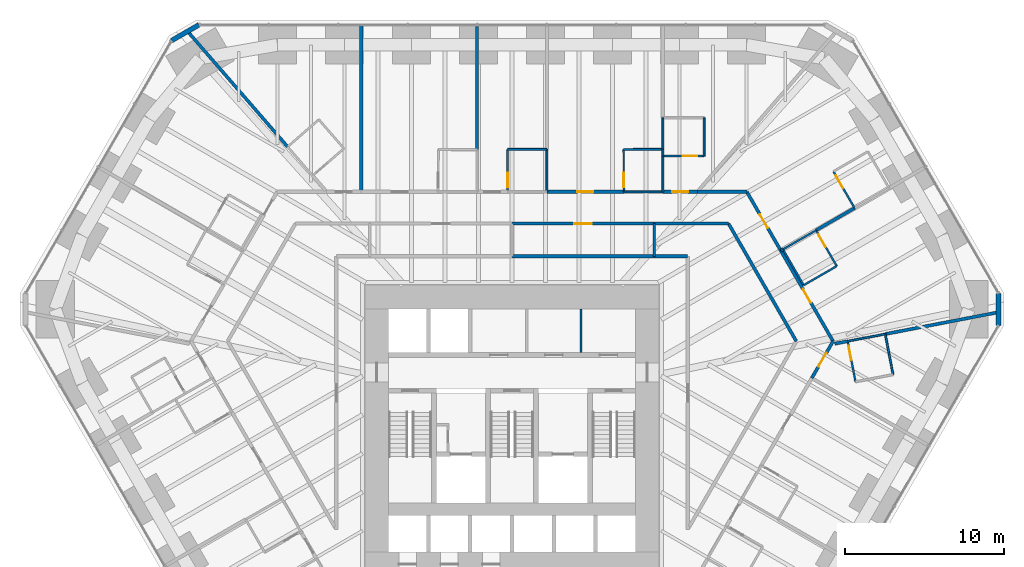
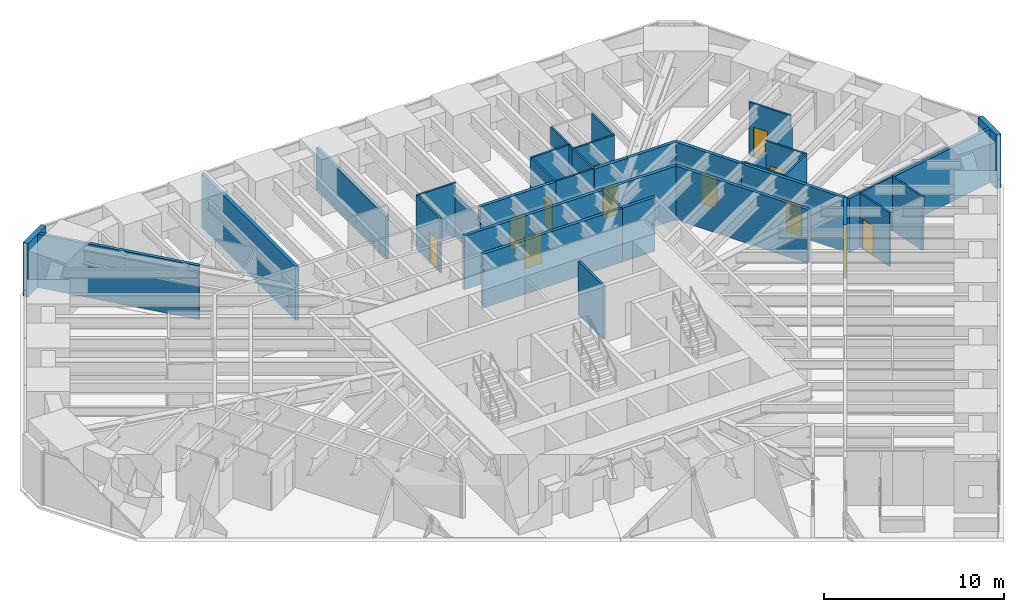
# One storey, part 15 of 17: 41 walls, 12 doors, 12 openings.
"""IFC4 building model written with IfcOpenShell, lengths in metres."""

from ifc_helpers import new_model, si_unit, direction, frame, frame_2d, origin, place, context, subcontext, project, spatial, rectangle, extrude, material, layer, layer_set, type_object, element, fill, save


model = new_model("IFC4")

# Units and contexts
model_context = context("Model", 3, precision=1e-05, world=origin(), true_north=direction((0.0, 1.0)))
body_context = subcontext(model_context, "Body", "Model", "MODEL_VIEW")
ifc_project = project(units=[si_unit("LENGTHUNIT", "METRE"), si_unit("AREAUNIT", "SQUARE_METRE"), si_unit("VOLUMEUNIT", "CUBIC_METRE"), si_unit("PLANEANGLEUNIT", "RADIAN"), si_unit("MASSUNIT", "GRAM", prefix="KILO")], contexts=[model_context])

# Site, building, storey
site_placement = place(None, origin())
site = spatial("IfcSite", under=ifc_project, at=site_placement, CompositionType="ELEMENT")
building_placement = place(site_placement, origin())
building = spatial("IfcBuilding", under=site, at=building_placement, Name="Sandreach Pilgrim Tower", CompositionType="ELEMENT")
storey_placement = place(building_placement, frame((0.0, 0.0, 30.60009765625)))
storey = spatial("IfcBuildingStorey", under=building, at=storey_placement, Name="L06", CompositionType="ELEMENT", Elevation=30.60009765625)

# Walls
ifc_material_1 = material(Name="Gypsum board on steel studs", Category="steel")
ifc_layer_1 = layer(ifc_material_1, 0.14990234375)
ifc_layer_set_1 = layer_set([ifc_layer_1], Name="Back of house wall 150")
wall_type_1 = type_object("IfcWallType", Name="Back of house wall 150", PredefinedType="PARTITIONING", material=ifc_layer_set_1)
wall_1_placement = place(storey_placement, frame((8.93994140625, 11.449951171875, 0.0), z_axis=(0.0, 0.0, 1.0), x_axis=(0.0, -1.0, 0.0)))
element("IfcWall", 1, at=wall_1_placement, inside=storey, type_object=wall_type_1, Name="Back of house wall L06-112", PredefinedType="PARTITIONING", context=body_context, shape_type="SweptSolid", body=[
    extrude(rectangle(XDim=2.050048828125, YDim=0.14990234375, at=frame_2d((1.02490234375, 0.0))), origin(), (0.0, 0.0, 1.0), 3.639892578125),
])
wall_2_placement = place(storey_placement, frame((4.333251953125, 3.35009765625, 0.0), z_axis=(0.0, 0.0, 1.0), x_axis=(0.0, 1.0, 0.0)))
element("IfcWall", 2, at=wall_2_placement, inside=storey, type_object=wall_type_1, Name="Core room partition L06 2", PredefinedType="PARTITIONING", context=body_context, shape_type="SweptSolid", body=[
    extrude(rectangle(XDim=2.75, YDim=0.14990234375, at=frame_2d((1.375, 0.0))), origin(), (0.0, 0.0, 1.0), 3.639892578125),
])

# Wall, opening, door
ifc_material_2 = material(Name="Moisture-resistant gypsum board on steel studs", Category="steel")
ifc_layer_2 = layer(ifc_material_2, 0.1201171875)
ifc_layer_set_2 = layer_set([ifc_layer_2], Name="Bathroom partition 120")
wall_type_2 = type_object("IfcWallType", Name="Bathroom partition 120", PredefinedType="PARTITIONING", material=ifc_layer_set_2)
wall_3_placement = place(storey_placement, frame((-0.27001953125, 16.1201171875, 0.0), z_axis=(0.0, 0.0, 1.0), x_axis=(0.0, -1.0, 0.0)))
wall_3 = element("IfcWall", 3, at=wall_3_placement, inside=storey, type_object=wall_type_2, Name="Bathroom partition L06-076", PredefinedType="PARTITIONING", context=body_context, shape_type="SweptSolid", body=[
    extrude(rectangle(XDim=2.670166015625, YDim=0.1201171875, at=frame_2d((1.3349609375, 0.0))), origin(), (0.0, 0.0, 1.0), 3.639892578125),
])
opening_1_placement = place(wall_3_placement, frame((1.469970703125, 0.0, 0.0)))
opening_1 = element("IfcOpeningElement", 4, at=opening_1_placement, cuts=wall_3, Name="Opening D09-03B", PredefinedType="OPENING", context=body_context, shape_type="SweptSolid", body=[
    extrude(rectangle(XDim=0.89990234375, YDim=2.030029296875, at=frame_2d((0.449951171875, 1.01513671875))), frame((0.0, 0.06005859375, 0.0), z_axis=(0.0, -1.0, 0.0), x_axis=(1.0, 0.0, 0.0)), (0.0, 0.0, 1.0), 0.1201171875),
])
ifc_material_3 = material(Name="Timber door, steel frame", Category="steel")
door_type_1 = type_object("IfcDoorType", Name="Bathroom door", OperationType="SINGLE_SWING_LEFT", PredefinedType="DOOR", material=ifc_material_3)
door_1_placement = place(opening_1_placement, origin())
door_1 = element("IfcDoor", 5, at=door_1_placement, inside=storey, type_object=door_type_1, Name="Door 0603B", OperationType="SINGLE_SWING_RIGHT", OverallHeight=2.030029296875, OverallWidth=0.89990234375, PredefinedType="DOOR", context=body_context, shape_type="SweptSolid", body=[
    extrude(rectangle(XDim=0.89990234375, YDim=2.030029296875, at=frame_2d((0.449951171875, 1.01513671875))), frame((0.0, 0.02490234375, 0.0), z_axis=(0.0, -1.0, 0.0), x_axis=(1.0, 0.0, 0.0)), (0.0, 0.0, 1.0), 0.050048828125),
])
fill(opening_1, door_1)

# Walls
wall_4_placement = place(storey_placement, frame((2.18994140625, 16.1201171875, 0.0), z_axis=(0.0, 0.0, 1.0), x_axis=(-1.0, 0.0, 0.0)))
element("IfcWall", 6, at=wall_4_placement, inside=storey, type_object=wall_type_2, Name="Bathroom partition L06-090", PredefinedType="PARTITIONING", context=body_context, shape_type="SweptSolid", body=[
    extrude(rectangle(XDim=2.4599609375, YDim=0.1201171875, at=frame_2d((1.22998046875, 0.0))), origin(), (0.0, 0.0, 1.0), 3.639892578125),
])
wall_5_placement = place(storey_placement, frame((2.18994140625, 16.1201171875, 0.0), z_axis=(0.0, 0.0, 1.0), x_axis=(0.0, -1.0, 0.0)))
element("IfcWall", 7, at=wall_5_placement, inside=storey, type_object=wall_type_2, Name="Bathroom partition L06-091", PredefinedType="PARTITIONING", context=body_context, shape_type="SweptSolid", body=[
    extrude(rectangle(XDim=2.670166015625, YDim=0.1201171875, at=frame_2d((1.3349609375, 0.0))), origin(), (0.0, 0.0, 1.0), 2.8779296875),
])

# Wall, opening, door
wall_6_placement = place(storey_placement, frame((7.02001953125, 16.110107421875, 0.0), z_axis=(0.0, 0.0, 1.0), x_axis=(0.003762822113, -0.99999292056, 0.0)))
wall_6 = element("IfcWall", 8, at=wall_6_placement, inside=storey, type_object=wall_type_2, Name="Bathroom partition L06-102", PredefinedType="PARTITIONING", context=body_context, shape_type="SweptSolid", body=[
    extrude(rectangle(XDim=2.66015625, YDim=0.1201171875, at=frame_2d((1.330078125, 0.0))), origin(), (0.0, 0.0, 1.0), 3.639892578125),
])
opening_2_placement = place(wall_6_placement, frame((1.4599609375, 0.0, 0.0)))
opening_2 = element("IfcOpeningElement", 9, at=opening_2_placement, cuts=wall_6, Name="Opening D09-04B", PredefinedType="OPENING", context=body_context, shape_type="SweptSolid", body=[
    extrude(rectangle(XDim=0.89990234375, YDim=2.030029296875, at=frame_2d((0.449951171875, 1.01513671875))), frame((0.0, 0.06005859375, 0.0), z_axis=(0.0, -1.0, 0.0), x_axis=(1.0, 0.0, 0.0)), (0.0, 0.0, 1.0), 0.1201171875),
])
door_2_placement = place(opening_2_placement, origin())
door_2 = element("IfcDoor", 10, at=door_2_placement, inside=storey, type_object=door_type_1, Name="Door 0604B", OperationType="SINGLE_SWING_RIGHT", OverallHeight=2.030029296875, OverallWidth=0.89990234375, PredefinedType="DOOR", context=body_context, shape_type="SweptSolid", body=[
    extrude(rectangle(XDim=0.89990234375, YDim=2.030029296875, at=frame_2d((0.449951171875, 1.01513671875))), frame((0.0, 0.02490234375, 0.0), z_axis=(0.0, -1.0, 0.0), x_axis=(1.0, 0.0, 0.0)), (0.0, 0.0, 1.0), 0.050048828125),
])
fill(opening_2, door_2)

# Walls
wall_7_placement = place(storey_placement, frame((9.47998046875, 13.449951171875, 0.0), z_axis=(0.0, 0.0, 1.0), x_axis=(-1.0, 0.0, 0.0)))
element("IfcWall", 11, at=wall_7_placement, inside=storey, type_object=wall_type_2, Name="Bathroom partition L06-115", PredefinedType="PARTITIONING", context=body_context, shape_type="SweptSolid", body=[
    extrude(rectangle(XDim=2.449951171875, YDim=0.1201171875, at=frame_2d((1.22509765625, 0.0))), origin(), (0.0, 0.0, 1.0), 3.639892578125),
])
wall_8_placement = place(storey_placement, frame((9.47998046875, 15.699951171875, 0.0), z_axis=(0.0, 0.0, 1.0), x_axis=(0.0, -1.0, 0.0)))
element("IfcWall", 12, at=wall_8_placement, inside=storey, type_object=wall_type_2, Name="Bathroom partition L06-116", PredefinedType="PARTITIONING", context=body_context, shape_type="SweptSolid", body=[
    extrude(rectangle(XDim=2.25, YDim=0.1201171875, at=frame_2d((1.125, 0.0))), origin(), (0.0, 0.0, 1.0), 3.639892578125),
])

# Wall, opening, door
wall_9_placement = place(storey_placement, frame((9.47998046875, 15.699951171875, 0.0), z_axis=(0.0, 0.0, 1.0), x_axis=(1.0, 0.0, 0.0)))
wall_9 = element("IfcWall", 13, at=wall_9_placement, inside=storey, type_object=wall_type_2, Name="Bathroom partition L06-117", PredefinedType="PARTITIONING", context=body_context, shape_type="SweptSolid", body=[
    extrude(rectangle(XDim=2.60009765625, YDim=0.1201171875, at=frame_2d((1.300048828125, 0.0))), origin(), (0.0, 0.0, 1.0), 3.639892578125),
])
opening_3_placement = place(wall_9_placement, frame((1.25, 0.0, 0.0)))
opening_3 = element("IfcOpeningElement", 14, at=opening_3_placement, cuts=wall_9, Name="Opening D09-05B", PredefinedType="OPENING", context=body_context, shape_type="SweptSolid", body=[
    extrude(rectangle(XDim=0.89990234375, YDim=2.030029296875, at=frame_2d((0.449951171875, 1.01513671875))), frame((0.0, 0.06005859375, 0.0), z_axis=(0.0, -1.0, 0.0), x_axis=(1.0, 0.0, 0.0)), (0.0, 0.0, 1.0), 0.1201171875),
])
door_3_placement = place(opening_3_placement, origin())
door_3 = element("IfcDoor", 15, at=door_3_placement, inside=storey, type_object=door_type_1, Name="Door 0605B", OperationType="SINGLE_SWING_RIGHT", OverallHeight=2.030029296875, OverallWidth=0.89990234375, PredefinedType="DOOR", context=body_context, shape_type="SweptSolid", body=[
    extrude(rectangle(XDim=0.89990234375, YDim=2.030029296875, at=frame_2d((0.449951171875, 1.01513671875))), frame((0.0, 0.02490234375, 0.0), z_axis=(0.0, -1.0, 0.0), x_axis=(1.0, 0.0, 0.0)), (0.0, 0.0, 1.0), 0.050048828125),
])
fill(opening_3, door_3)

# Walls
wall_10_placement = place(storey_placement, frame((9.47998046875, 16.1201171875, 0.0), z_axis=(0.0, 0.0, 1.0), x_axis=(-0.999991721417, -0.004069041344, 0.0)))
element("IfcWall", 16, at=wall_10_placement, inside=storey, type_object=wall_type_2, Name="Bathroom partition L06-118", PredefinedType="PARTITIONING", context=body_context, shape_type="SweptSolid", body=[
    extrude(rectangle(XDim=2.4599609375, YDim=0.1201171875, at=frame_2d((1.22998046875, 0.0))), origin(), (0.0, 0.0, 1.0), 3.639892578125),
])
wall_11_placement = place(storey_placement, frame((9.47998046875, 16.1201171875, 0.0), z_axis=(0.0, 0.0, 1.0), x_axis=(0.0, -1.0, 0.0)))
element("IfcWall", 17, at=wall_11_placement, inside=storey, type_object=wall_type_2, Name="Bathroom partition L06-119", PredefinedType="PARTITIONING", context=body_context, shape_type="SweptSolid", body=[
    extrude(rectangle(XDim=0.420166015625, YDim=0.1201171875, at=frame_2d((0.2099609375, 0.0))), origin(), (0.0, 0.0, 1.0), 3.639892578125),
])
wall_12_placement = place(storey_placement, frame((9.47998046875, 18.10009765625, 0.0), z_axis=(0.0, 0.0, 1.0), x_axis=(0.0, -1.0, 0.0)))
element("IfcWall", 18, at=wall_12_placement, inside=storey, type_object=wall_type_2, Name="Bathroom partition L06-120", PredefinedType="PARTITIONING", context=body_context, shape_type="SweptSolid", body=[
    extrude(rectangle(XDim=1.97998046875, YDim=0.1201171875, at=frame_2d((0.989990234375, 0.0))), origin(), (0.0, 0.0, 1.0), 3.639892578125),
])
wall_13_placement = place(storey_placement, frame((12.080078125, 15.699951171875, 0.0), z_axis=(0.0, 0.0, 1.0), x_axis=(0.0, 1.0, 0.0)))
element("IfcWall", 19, at=wall_13_placement, inside=storey, type_object=wall_type_2, Name="Bathroom partition L06-132", PredefinedType="PARTITIONING", context=body_context, shape_type="SweptSolid", body=[
    extrude(rectangle(XDim=2.400146484375, YDim=0.1201171875, at=frame_2d((1.2001953125, 0.0))), origin(), (0.0, 0.0, 1.0), 3.639892578125),
])
wall_14_placement = place(storey_placement, frame((17.02783203125, 9.833740234375, 0.0), z_axis=(0.0, 0.0, 1.0), x_axis=(0.867064427496, 0.498196024242, 0.0)))
element("IfcWall", 20, at=wall_14_placement, inside=storey, type_object=wall_type_2, Name="Bathroom partition L06-150", PredefinedType="PARTITIONING", context=body_context, shape_type="SweptSolid", body=[
    extrude(rectangle(XDim=2.401123046875, YDim=0.1201171875, at=frame_2d((1.20068359375, 0.0))), origin(), (0.0, 0.0, 1.0), 2.860107421875),
])
wall_15_placement = place(storey_placement, frame((17.030029296875, 9.830078125, 0.0), z_axis=(0.0, 0.0, 1.0), x_axis=(0.500291685314, -0.865856933682, 0.0)))
element("IfcWall", 21, at=wall_15_placement, inside=storey, type_object=wall_type_2, Name="Bathroom partition L06-151", PredefinedType="PARTITIONING", context=body_context, shape_type="SweptSolid", body=[
    extrude(rectangle(XDim=2.5986328125, YDim=0.1201171875, at=frame_2d((1.29931640625, 0.0))), origin(), (0.0, 0.0, 1.0), 3.639892578125),
])
wall_16_placement = place(storey_placement, frame((18.330078125, 7.580078125, 0.0), z_axis=(0.0, 0.0, 1.0), x_axis=(0.866177122335, 0.499737123639, 0.0)))
element("IfcWall", 22, at=wall_16_placement, inside=storey, type_object=wall_type_2, Name="Bathroom partition L06-154", PredefinedType="PARTITIONING", context=body_context, shape_type="SweptSolid", body=[
    extrude(rectangle(XDim=2.401123046875, YDim=0.1201171875, at=frame_2d((1.20068359375, 0.0))), origin(), (0.0, 0.0, 1.0), 3.639892578125),
])

# Wall, opening, door
wall_17_placement = place(storey_placement, frame((20.199951171875, 14.72998046875, 0.0), z_axis=(0.0, 0.0, 1.0), x_axis=(0.500605174168, -0.865675724273, 0.0)))
wall_17 = element("IfcWall", 23, at=wall_17_placement, inside=storey, type_object=wall_type_2, Name="Bathroom partition L06-157", PredefinedType="PARTITIONING", context=body_context, shape_type="SweptSolid", body=[
    extrude(rectangle(XDim=2.656982421875, YDim=0.1201171875, at=frame_2d((1.32861328125, 0.0))), origin(), (0.0, 0.0, 1.0), 3.639892578125),
])
opening_4_placement = place(wall_17_placement, frame((0.300048828125, 0.0, 0.0)))
opening_4 = element("IfcOpeningElement", 24, at=opening_4_placement, cuts=wall_17, Name="Opening D09-06B", PredefinedType="OPENING", context=body_context, shape_type="SweptSolid", body=[
    extrude(rectangle(XDim=0.89990234375, YDim=2.030029296875, at=frame_2d((0.449951171875, 1.01513671875))), frame((0.0, 0.06005859375, 0.0), z_axis=(0.0, -1.0, 0.0), x_axis=(1.0, 0.0, 0.0)), (0.0, 0.0, 1.0), 0.1201171875),
])
door_4_placement = place(opening_4_placement, origin())
door_4 = element("IfcDoor", 25, at=door_4_placement, inside=storey, type_object=door_type_1, Name="Door 0606B", OperationType="SINGLE_SWING_LEFT", OverallHeight=2.030029296875, OverallWidth=0.89990234375, PredefinedType="DOOR", context=body_context, shape_type="SweptSolid", body=[
    extrude(rectangle(XDim=0.89990234375, YDim=2.030029296875, at=frame_2d((0.449951171875, 1.01513671875))), frame((0.0, 0.02490234375, 0.0), z_axis=(0.0, -1.0, 0.0), x_axis=(1.0, 0.0, 0.0)), (0.0, 0.0, 1.0), 0.050048828125),
])
fill(opening_4, door_4)

wall_18_placement = place(storey_placement, frame((20.409912109375, 8.780029296875, 0.0), z_axis=(0.0, 0.0, 1.0), x_axis=(-0.500291685314, 0.865856933682, 0.0)))
wall_18 = element("IfcWall", 26, at=wall_18_placement, inside=storey, type_object=wall_type_2, Name="Bathroom partition L06-160", PredefinedType="PARTITIONING", context=body_context, shape_type="SweptSolid", body=[
    extrude(rectangle(XDim=2.5986328125, YDim=0.1201171875, at=frame_2d((1.29931640625, 0.0))), origin(), (0.0, 0.0, 1.0), 3.639892578125),
])
opening_5_placement = place(wall_18_placement, frame((1.398681640625, 0.0, 0.0)))
opening_5 = element("IfcOpeningElement", 27, at=opening_5_placement, cuts=wall_18, Name="Opening D09-07B", PredefinedType="OPENING", context=body_context, shape_type="SweptSolid", body=[
    extrude(rectangle(XDim=0.89990234375, YDim=2.030029296875, at=frame_2d((0.449951171875, 1.01513671875))), frame((0.0, 0.06005859375, 0.0), z_axis=(0.0, -1.0, 0.0), x_axis=(1.0, 0.0, 0.0)), (0.0, 0.0, 1.0), 0.1201171875),
])
door_5_placement = place(opening_5_placement, origin())
door_5 = element("IfcDoor", 28, at=door_5_placement, inside=storey, type_object=door_type_1, Name="Door 0607B", OperationType="SINGLE_SWING_RIGHT", OverallHeight=2.030029296875, OverallWidth=0.89990234375, PredefinedType="DOOR", context=body_context, shape_type="SweptSolid", body=[
    extrude(rectangle(XDim=0.89990234375, YDim=2.030029296875, at=frame_2d((0.449951171875, 1.01513671875))), frame((0.0, 0.02490234375, 0.0), z_axis=(0.0, -1.0, 0.0), x_axis=(1.0, 0.0, 0.0)), (0.0, 0.0, 1.0), 0.050048828125),
])
fill(opening_5, door_5)

wall_19_placement = place(storey_placement, frame((21.10009765625, 4.06005859375, 0.0), z_axis=(0.0, 0.0, 1.0), x_axis=(0.188697442844, -0.982035271802, 0.0)))
wall_19 = element("IfcWall", 29, at=wall_19_placement, inside=storey, type_object=wall_type_2, Name="Bathroom partition L06-161", PredefinedType="PARTITIONING", context=body_context, shape_type="SweptSolid", body=[
    extrude(rectangle(XDim=2.5966796875, YDim=0.1201171875, at=frame_2d((1.29833984375, 0.0))), origin(), (0.0, 0.0, 1.0), 3.639892578125),
])
opening_6_placement = place(wall_19_placement, frame((0.300048828125, 0.0, 0.0)))
opening_6 = element("IfcOpeningElement", 30, at=opening_6_placement, cuts=wall_19, Name="Opening D09-08B", PredefinedType="OPENING", context=body_context, shape_type="SweptSolid", body=[
    extrude(rectangle(XDim=0.89990234375, YDim=2.030029296875, at=frame_2d((0.449951171875, 1.01513671875))), frame((0.0, 0.06005859375, 0.0), z_axis=(0.0, -1.0, 0.0), x_axis=(1.0, 0.0, 0.0)), (0.0, 0.0, 1.0), 0.1201171875),
])
door_6_placement = place(opening_6_placement, origin())
door_6 = element("IfcDoor", 31, at=door_6_placement, inside=storey, type_object=door_type_1, Name="Door 0608B", OperationType="SINGLE_SWING_LEFT", OverallHeight=2.030029296875, OverallWidth=0.89990234375, PredefinedType="DOOR", context=body_context, shape_type="SweptSolid", body=[
    extrude(rectangle(XDim=0.89990234375, YDim=2.030029296875, at=frame_2d((0.449951171875, 1.01513671875))), frame((0.0, 0.02490234375, 0.0), z_axis=(0.0, -1.0, 0.0), x_axis=(1.0, 0.0, 0.0)), (0.0, 0.0, 1.0), 0.050048828125),
])
fill(opening_6, door_6)

# Walls
wall_20_placement = place(storey_placement, frame((21.099853515625, 4.06005859375, 0.0), z_axis=(0.0, 0.0, 1.0), x_axis=(0.982307423658, 0.187275533444, 0.0)))
element("IfcWall", 32, at=wall_20_placement, inside=storey, type_object=wall_type_2, Name="Bathroom partition L06-162", PredefinedType="PARTITIONING", context=body_context, shape_type="SweptSolid", body=[
    extrude(rectangle(XDim=2.402587890625, YDim=0.1201171875, at=frame_2d((1.201171875, 0.0))), origin(), (0.0, 0.0, 1.0), 3.639892578125),
])
wall_21_placement = place(storey_placement, frame((23.949951171875, 1.9599609375, 0.0), z_axis=(0.0, 0.0, 1.0), x_axis=(-0.188697442844, 0.982035271802, 0.0)))
element("IfcWall", 33, at=wall_21_placement, inside=storey, type_object=wall_type_2, Name="Bathroom partition L06-169", PredefinedType="PARTITIONING", context=body_context, shape_type="SweptSolid", body=[
    extrude(rectangle(XDim=2.5966796875, YDim=0.1201171875, at=frame_2d((1.29833984375, 0.0))), origin(), (0.0, 0.0, 1.0), 3.639892578125),
])

# Wall, opening, door
ifc_material_4 = material(Name="Gypsum board on steel studs, two layers each side", Category="steel")
ifc_layer_3 = layer(ifc_material_4, 0.199951171875)
ifc_layer_set_3 = layer_set([ifc_layer_3], Name="Corridor wall 200")
wall_type_3 = type_object("IfcWallType", Name="Corridor wall 200", PredefinedType="PARTITIONING", material=ifc_layer_set_3)
wall_22_placement = place(storey_placement, frame((0.0, 11.449951171875, 0.0), z_axis=(0.0, 0.0, 1.0), x_axis=(1.0, 0.0, 0.0)))
wall_22 = element("IfcWall", 34, at=wall_22_placement, inside=storey, type_object=wall_type_3, Name="Corridor wall L06-086", PredefinedType="PARTITIONING", context=body_context, shape_type="SweptSolid", body=[
    extrude(rectangle(XDim=8.93994140625, YDim=0.199951171875, at=frame_2d((4.469970703125, 0.0))), origin(), (0.0, 0.0, 1.0), 3.639892578125),
])
opening_7_placement = place(wall_22_placement, frame((3.919921875, 0.0, 0.0)))
opening_7 = element("IfcOpeningElement", 35, at=opening_7_placement, cuts=wall_22, Name="Opening D11H-M03", PredefinedType="OPENING", context=body_context, shape_type="SweptSolid", body=[
    extrude(rectangle(XDim=1.10009765625, YDim=2.199951171875, at=frame_2d((0.550048828125, 1.10009765625))), frame((0.0, 0.10009765625, 0.0), z_axis=(0.0, -1.0, 0.0), x_axis=(1.0, 0.0, 0.0)), (0.0, 0.0, 1.0), 0.199951171875),
])
ifc_material_5 = material(Name="Steel door and frame", Category="steel")
door_type_2 = type_object("IfcDoorType", Name="Back of house door", OperationType="SINGLE_SWING_LEFT", PredefinedType="DOOR", material=ifc_material_5)
door_7_placement = place(opening_7_placement, origin())
door_7 = element("IfcDoor", 36, at=door_7_placement, inside=storey, type_object=door_type_2, Name="Door 06M03", OperationType="SINGLE_SWING_LEFT", OverallHeight=2.199951171875, OverallWidth=1.10009765625, PredefinedType="DOOR", context=body_context, shape_type="SweptSolid", body=[
    extrude(rectangle(XDim=1.10009765625, YDim=2.199951171875, at=frame_2d((0.550048828125, 1.10009765625))), frame((0.0, 0.02490234375, 0.0), z_axis=(0.0, -1.0, 0.0), x_axis=(1.0, 0.0, 0.0)), (0.0, 0.0, 1.0), 0.050048828125),
])
fill(opening_7, door_7)

wall_23_placement = place(storey_placement, frame((7.030029296875, 13.449951171875, 0.0), z_axis=(0.0, 0.0, 1.0), x_axis=(-1.0, 0.0, 0.0)))
wall_23 = element("IfcWall", 37, at=wall_23_placement, inside=storey, type_object=wall_type_3, Name="Corridor wall L06-103", PredefinedType="PARTITIONING", context=body_context, shape_type="SweptSolid", body=[
    extrude(rectangle(XDim=4.840087890625, YDim=0.199951171875, at=frame_2d((2.419921875, 0.0))), origin(), (0.0, 0.0, 1.0), 3.639892578125),
])
opening_8_placement = place(wall_23_placement, frame((1.919921875, 0.0, 0.0)))
opening_8 = element("IfcOpeningElement", 38, at=opening_8_placement, cuts=wall_23, Name="Opening D10-04", PredefinedType="OPENING", context=body_context, shape_type="SweptSolid", body=[
    extrude(rectangle(XDim=1.0, YDim=2.1298828125, at=frame_2d((0.5, 1.06494140625))), frame((0.0, 0.10009765625, 0.0), z_axis=(0.0, -1.0, 0.0), x_axis=(1.0, 0.0, 0.0)), (0.0, 0.0, 1.0), 0.199951171875),
])
ifc_material_6 = material(Name="Steel door and frame", Category="steel")
door_type_3 = type_object("IfcDoorType", Name="Guest room entry door", OperationType="SINGLE_SWING_LEFT", PredefinedType="DOOR", material=ifc_material_6)
door_8_placement = place(opening_8_placement, origin())
door_8 = element("IfcDoor", 39, at=door_8_placement, inside=storey, type_object=door_type_3, Name="Door 0604", OperationType="SINGLE_SWING_LEFT", OverallHeight=2.1298828125, OverallWidth=1.0, PredefinedType="DOOR", context=body_context, shape_type="SweptSolid", body=[
    extrude(rectangle(XDim=1.0, YDim=2.1298828125, at=frame_2d((0.5, 1.06494140625))), frame((0.0, 0.02490234375, 0.0), z_axis=(0.0, -1.0, 0.0), x_axis=(1.0, 0.0, 0.0)), (0.0, 0.0, 1.0), 0.050048828125),
])
fill(opening_8, door_8)

# Walls
wall_24_placement = place(storey_placement, frame((8.93994140625, 9.39990234375, 0.0), z_axis=(0.0, 0.0, 1.0), x_axis=(-1.0, 0.0, 0.0)))
element("IfcWall", 40, at=wall_24_placement, inside=storey, type_object=wall_type_3, Name="Corridor wall L06-111", PredefinedType="PARTITIONING", context=body_context, shape_type="SweptSolid", body=[
    extrude(rectangle(XDim=8.93994140625, YDim=0.199951171875, at=frame_2d((4.469970703125, 0.0))), origin(), (0.0, 0.0, 1.0), 3.639892578125),
])
wall_25_placement = place(storey_placement, frame((8.93994140625, 11.449951171875, 0.0), z_axis=(0.0, 0.0, 1.0), x_axis=(1.0, 0.0, 0.0)))
element("IfcWall", 41, at=wall_25_placement, inside=storey, type_object=wall_type_3, Name="Corridor wall L06-113", PredefinedType="PARTITIONING", context=body_context, shape_type="SweptSolid", body=[
    extrude(rectangle(XDim=4.670166015625, YDim=0.199951171875, at=frame_2d((2.3349609375, 0.0))), origin(), (0.0, 0.0, 1.0), 3.639892578125),
])
wall_26_placement = place(storey_placement, frame((11.0400390625, 9.39990234375, 0.0), z_axis=(0.0, 0.0, 1.0), x_axis=(-1.0, 0.0, 0.0)))
element("IfcWall", 42, at=wall_26_placement, inside=storey, type_object=wall_type_3, Name="Corridor wall L06-127", PredefinedType="PARTITIONING", context=body_context, shape_type="SweptSolid", body=[
    extrude(rectangle(XDim=2.10009765625, YDim=0.199951171875, at=frame_2d((1.050048828125, 0.0))), origin(), (0.0, 0.0, 1.0), 3.639892578125),
])

# Wall, opening, door
wall_27_placement = place(storey_placement, frame((11.64990234375, 13.449951171875, 0.0), z_axis=(0.0, 0.0, 1.0), x_axis=(-1.0, 0.0, 0.0)))
wall_27 = element("IfcWall", 43, at=wall_27_placement, inside=storey, type_object=wall_type_3, Name="Corridor wall L06-130", PredefinedType="PARTITIONING", context=body_context, shape_type="SweptSolid", body=[
    extrude(rectangle(XDim=2.169921875, YDim=0.199951171875, at=frame_2d((1.0849609375, 0.0))), origin(), (0.0, 0.0, 1.0), 3.639892578125),
])
opening_9_placement = place(wall_27_placement, frame((0.5849609375, 0.0, 0.0)))
opening_9 = element("IfcOpeningElement", 44, at=opening_9_placement, cuts=wall_27, Name="Opening D10-05", PredefinedType="OPENING", context=body_context, shape_type="SweptSolid", body=[
    extrude(rectangle(XDim=1.0, YDim=2.1298828125, at=frame_2d((0.5, 1.06494140625))), frame((0.0, 0.10009765625, 0.0), z_axis=(0.0, -1.0, 0.0), x_axis=(1.0, 0.0, 0.0)), (0.0, 0.0, 1.0), 0.199951171875),
])
door_9_placement = place(opening_9_placement, origin())
door_9 = element("IfcDoor", 45, at=door_9_placement, inside=storey, type_object=door_type_3, Name="Door 0605", OperationType="SINGLE_SWING_LEFT", OverallHeight=2.1298828125, OverallWidth=1.0, PredefinedType="DOOR", context=body_context, shape_type="SweptSolid", body=[
    extrude(rectangle(XDim=1.0, YDim=2.1298828125, at=frame_2d((0.5, 1.06494140625))), frame((0.0, 0.02490234375, 0.0), z_axis=(0.0, -1.0, 0.0), x_axis=(1.0, 0.0, 0.0)), (0.0, 0.0, 1.0), 0.050048828125),
])
fill(opening_9, door_9)

# Walls
wall_28_placement = place(storey_placement, frame((13.610107421875, 11.449951171875, 0.0), z_axis=(0.0, 0.0, 1.0), x_axis=(0.499402776741, -0.866369936334, 0.0)))
element("IfcWall", 46, at=wall_28_placement, inside=storey, type_object=wall_type_3, Name="Corridor wall L06-137", PredefinedType="PARTITIONING", context=body_context, shape_type="SweptSolid", body=[
    extrude(rectangle(XDim=8.52978515625, YDim=0.199951171875, at=frame_2d((4.264892578125, 0.0))), origin(), (0.0, 0.0, 1.0), 3.639892578125),
])
wall_29_placement = place(storey_placement, frame((14.760009765625, 13.449951171875, 0.0), z_axis=(0.0, 0.0, 1.0), x_axis=(-1.0, 0.0, 0.0)))
element("IfcWall", 47, at=wall_29_placement, inside=storey, type_object=wall_type_3, Name="Corridor wall L06-142", PredefinedType="PARTITIONING", context=body_context, shape_type="SweptSolid", body=[
    extrude(rectangle(XDim=3.110107421875, YDim=0.199951171875, at=frame_2d((1.55517578125, 0.0))), origin(), (0.0, 0.0, 1.0), 3.639892578125),
])

# Wall, opening, door
wall_30_placement = place(storey_placement, frame((14.760009765625, 13.449951171875, 0.0), z_axis=(0.0, 0.0, 1.0), x_axis=(0.499894213467, -0.866086471054, 0.0)))
wall_30 = element("IfcWall", 48, at=wall_30_placement, inside=storey, type_object=wall_type_3, Name="Corridor wall L06-143", PredefinedType="PARTITIONING", context=body_context, shape_type="SweptSolid", body=[
    extrude(rectangle(XDim=4.265625, YDim=0.199951171875, at=frame_2d((2.1328125, 0.0))), origin(), (0.0, 0.0, 1.0), 3.639892578125),
])
opening_10_placement = place(wall_30_placement, frame((1.6328125, 0.0, 0.0)))
opening_10 = element("IfcOpeningElement", 49, at=opening_10_placement, cuts=wall_30, Name="Opening D10-06", PredefinedType="OPENING", context=body_context, shape_type="SweptSolid", body=[
    extrude(rectangle(XDim=1.0, YDim=2.1298828125, at=frame_2d((0.5, 1.06494140625))), frame((0.0, 0.10009765625, 0.0), z_axis=(0.0, -1.0, 0.0), x_axis=(1.0, 0.0, 0.0)), (0.0, 0.0, 1.0), 0.199951171875),
])
door_10_placement = place(opening_10_placement, origin())
door_10 = element("IfcDoor", 50, at=door_10_placement, inside=storey, type_object=door_type_3, Name="Door 0606", OperationType="SINGLE_SWING_LEFT", OverallHeight=2.1298828125, OverallWidth=1.0, PredefinedType="DOOR", context=body_context, shape_type="SweptSolid", body=[
    extrude(rectangle(XDim=1.0, YDim=2.1298828125, at=frame_2d((0.5, 1.06494140625))), frame((0.0, 0.02490234375, 0.0), z_axis=(0.0, -1.0, 0.0), x_axis=(1.0, 0.0, 0.0)), (0.0, 0.0, 1.0), 0.050048828125),
])
fill(opening_10, door_10)

wall_31_placement = place(storey_placement, frame((16.892333984375, 9.755615234375, 0.0), z_axis=(0.0, 0.0, 1.0), x_axis=(0.499916344562, -0.866073696887, 0.0)))
wall_31 = element("IfcWall", 51, at=wall_31_placement, inside=storey, type_object=wall_type_3, Name="Corridor wall L06-148", PredefinedType="PARTITIONING", context=body_context, shape_type="SweptSolid", body=[
    extrude(rectangle(XDim=6.576416015625, YDim=0.199951171875, at=frame_2d((3.2880859375, 0.0))), origin(), (0.0, 0.0, 1.0), 3.639892578125),
])
opening_11_placement = place(wall_31_placement, frame((2.7880859375, 0.0, 0.0)))
opening_11 = element("IfcOpeningElement", 52, at=opening_11_placement, cuts=wall_31, Name="Opening D10-07", PredefinedType="OPENING", context=body_context, shape_type="SweptSolid", body=[
    extrude(rectangle(XDim=1.0, YDim=2.1298828125, at=frame_2d((0.5, 1.06494140625))), frame((0.0, 0.10009765625, 0.0), z_axis=(0.0, -1.0, 0.0), x_axis=(1.0, 0.0, 0.0)), (0.0, 0.0, 1.0), 0.199951171875),
])
door_11_placement = place(opening_11_placement, origin())
door_11 = element("IfcDoor", 53, at=door_11_placement, inside=storey, type_object=door_type_3, Name="Door 0607", OperationType="SINGLE_SWING_LEFT", OverallHeight=2.1298828125, OverallWidth=1.0, PredefinedType="DOOR", context=body_context, shape_type="SweptSolid", body=[
    extrude(rectangle(XDim=1.0, YDim=2.1298828125, at=frame_2d((0.5, 1.06494140625))), frame((0.0, 0.02490234375, 0.0), z_axis=(0.0, -1.0, 0.0), x_axis=(1.0, 0.0, 0.0)), (0.0, 0.0, 1.0), 0.050048828125),
])
fill(opening_11, door_11)

wall_32_placement = place(storey_placement, frame((18.840087890625, 1.739990234375, 0.0), z_axis=(0.0, 0.0, 1.0), x_axis=(0.500098439427, 0.865968562295, 0.0)))
wall_32 = element("IfcWall", 54, at=wall_32_placement, inside=storey, type_object=wall_type_3, Name="Corridor wall L06-155", PredefinedType="PARTITIONING", context=body_context, shape_type="SweptSolid", body=[
    extrude(rectangle(XDim=2.67919921875, YDim=0.199951171875, at=frame_2d((1.339599609375, 0.0))), origin(), (0.0, 0.0, 1.0), 3.639892578125),
])
opening_12_placement = place(wall_32_placement, frame((0.839599609375, 0.0, 0.0)))
opening_12 = element("IfcOpeningElement", 55, at=opening_12_placement, cuts=wall_32, Name="Opening D10-08", PredefinedType="OPENING", context=body_context, shape_type="SweptSolid", body=[
    extrude(rectangle(XDim=1.0, YDim=2.1298828125, at=frame_2d((0.5, 1.06494140625))), frame((0.0, 0.10009765625, 0.0), z_axis=(0.0, -1.0, 0.0), x_axis=(1.0, 0.0, 0.0)), (0.0, 0.0, 1.0), 0.199951171875),
])
door_12_placement = place(opening_12_placement, origin())
door_12 = element("IfcDoor", 56, at=door_12_placement, inside=storey, type_object=door_type_3, Name="Door 0608", OperationType="SINGLE_SWING_LEFT", OverallHeight=2.1298828125, OverallWidth=1.0, PredefinedType="DOOR", context=body_context, shape_type="SweptSolid", body=[
    extrude(rectangle(XDim=1.0, YDim=2.1298828125, at=frame_2d((0.5, 1.06494140625))), frame((0.0, 0.02490234375, 0.0), z_axis=(0.0, -1.0, 0.0), x_axis=(1.0, 0.0, 0.0)), (0.0, 0.0, 1.0), 0.050048828125),
])
fill(opening_12, door_12)

# Walls
ifc_material_7 = material(Name="Double steel stud acoustic wall, gypsum board", Category="steel")
ifc_layer_4 = layer(ifc_material_7, 0.199951171875)
ifc_layer_set_4 = layer_set([ifc_layer_4], Name="Party wall 200")
wall_type_4 = type_object("IfcWallType", Name="Party wall 200", PredefinedType="PARTITIONING", material=ifc_layer_set_4)
wall_33_placement = place(storey_placement, frame((-20.400390625, 23.54736328125, 0.0), z_axis=(0.0, 0.0, 1.0), x_axis=(0.654910244559, -0.755706670323, 0.0)))
element("IfcWall", 57, at=wall_33_placement, inside=storey, type_object=wall_type_4, Name="Party wall L06-013", PredefinedType="PARTITIONING", context=body_context, shape_type="SweptSolid", body=[
    extrude(rectangle(XDim=9.6181640625, YDim=0.199951171875, at=frame_2d((4.80908203125, 0.0))), origin(), (0.0, 0.0, 1.0), 3.639892578125),
])
wall_34_placement = place(storey_placement, frame((-9.47998046875, 23.919921875, 0.0), z_axis=(0.0, 0.0, 1.0), x_axis=(0.0, -1.0, 0.0)))
element("IfcWall", 58, at=wall_34_placement, inside=storey, type_object=wall_type_4, Name="Party wall L06-054", PredefinedType="PARTITIONING", context=body_context, shape_type="SweptSolid", body=[
    extrude(rectangle(XDim=10.4599609375, YDim=0.199951171875, at=frame_2d((5.22998046875, 0.0))), origin(), (0.0, 0.0, 1.0), 3.639892578125),
])
wall_35_placement = place(storey_placement, frame((-2.18994140625, 23.830078125, 0.0), z_axis=(0.0, 0.0, 1.0), x_axis=(0.0, -1.0, 0.0)))
element("IfcWall", 59, at=wall_35_placement, inside=storey, type_object=wall_type_4, Name="Party wall L06-074", PredefinedType="PARTITIONING", context=body_context, shape_type="SweptSolid", body=[
    extrude(rectangle(XDim=7.72998046875, YDim=0.199951171875, at=frame_2d((3.864990234375, 0.0))), origin(), (0.0, 0.0, 1.0), 2.8779296875),
])
wall_36_placement = place(storey_placement, frame((16.904296875, 9.762451171875, 0.0), z_axis=(0.0, 0.0, 1.0), x_axis=(0.875926787791, 0.482444051088, 0.0)))
element("IfcWall", 60, at=wall_36_placement, inside=storey, type_object=wall_type_4, Name="Party wall L06-149", PredefinedType="PARTITIONING", context=body_context, shape_type="SweptSolid", body=[
    extrude(rectangle(XDim=0.142822265625, YDim=0.199951171875, at=frame_2d((0.0712890625, 0.0))), origin(), (0.0, 0.0, 1.0), 3.639892578125),
])
wall_37_placement = place(storey_placement, frame((19.110107421875, 11.030029296875, 0.0), z_axis=(0.0, 0.0, 1.0), x_axis=(0.865839219242, 0.500322342518, 0.0)))
element("IfcWall", 61, at=wall_37_placement, inside=storey, type_object=wall_type_4, Name="Party wall L06-156", PredefinedType="PARTITIONING", context=body_context, shape_type="SweptSolid", body=[
    extrude(rectangle(XDim=2.818115234375, YDim=0.199951171875, at=frame_2d((1.4091796875, 0.0))), origin(), (0.0, 0.0, 1.0), 2.860107421875),
])
wall_38_placement = place(storey_placement, frame((20.281005859375, 3.90087890625, 0.0), z_axis=(0.0, 0.0, 1.0), x_axis=(0.981624527768, 0.190822657157, 0.0)))
element("IfcWall", 62, at=wall_38_placement, inside=storey, type_object=wall_type_4, Name="Party wall L06-158", PredefinedType="PARTITIONING", context=body_context, shape_type="SweptSolid", body=[
    extrude(rectangle(XDim=0.834228515625, YDim=0.199951171875, at=frame_2d((0.4169921875, 0.0))), origin(), (0.0, 0.0, 1.0), 3.639892578125),
])
wall_39_placement = place(storey_placement, frame((23.4599609375, 4.510009765625, 0.0), z_axis=(0.0, 0.0, 1.0), x_axis=(0.981929870864, 0.189245155035, 0.0)))
element("IfcWall", 63, at=wall_39_placement, inside=storey, type_object=wall_type_4, Name="Party wall L06-166", PredefinedType="PARTITIONING", context=body_context, shape_type="SweptSolid", body=[
    extrude(rectangle(XDim=7.26171875, YDim=0.199951171875, at=frame_2d((3.630859375, 0.0))), origin(), (0.0, 0.0, 1.0), 3.639892578125),
])
ifc_material_8 = material(Name="Terracotta rainscreen on concrete", Category="masonry")
ifc_layer_5 = layer(ifc_material_8, 0.300048828125)
ifc_layer_set_5 = layer_set([ifc_layer_5], Name="Terracotta chamfer pier")
wall_type_5 = type_object("IfcWallType", Name="Terracotta chamfer pier", PredefinedType="SOLIDWALL", material=ifc_layer_set_5)
for number, where, z_axis, x_axis, name in (
    (64, (30.576171875, 7.062255859375, 0.0), (0.0, 0.0, 1.0), (0.0, -1.0, 0.0), "Chamfer pier L06 NE"),
    (65, (-21.404052734375, 22.94873046875, 0.0), (0.0, 0.0, 1.0), (0.866010750942, 0.50002537861, 0.0), "Chamfer pier L06 NW"),
):
    element("IfcWall", number, at=place(storey_placement, frame(where, z_axis=z_axis, x_axis=x_axis)), inside=storey, type_object=wall_type_5, Name=name, PredefinedType="SOLIDWALL", context=body_context, shape_type="SweptSolid", body=[
        extrude(rectangle(XDim=2.0, YDim=0.300048828125, at=frame_2d((1.0, 0.0))), origin(), (0.0, 0.0, 1.0), 3.639892578125),
    ])

save(model, "model.ifc")
